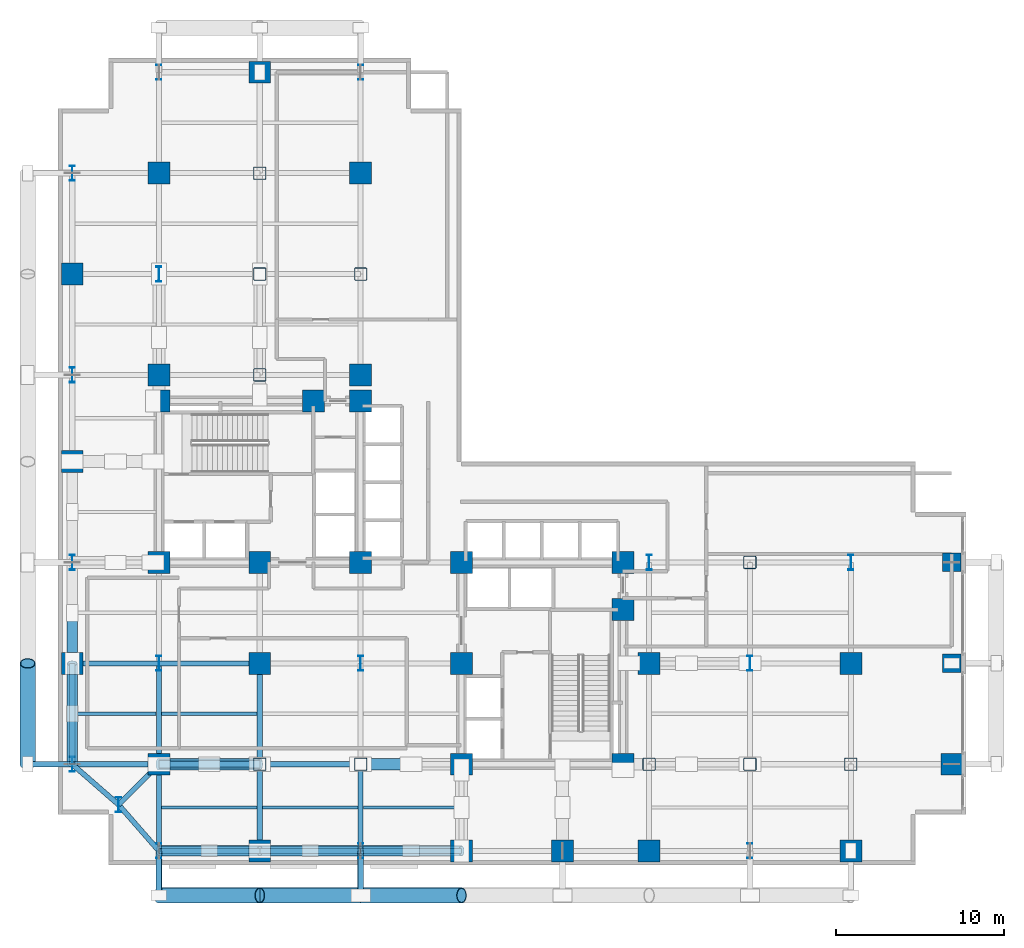
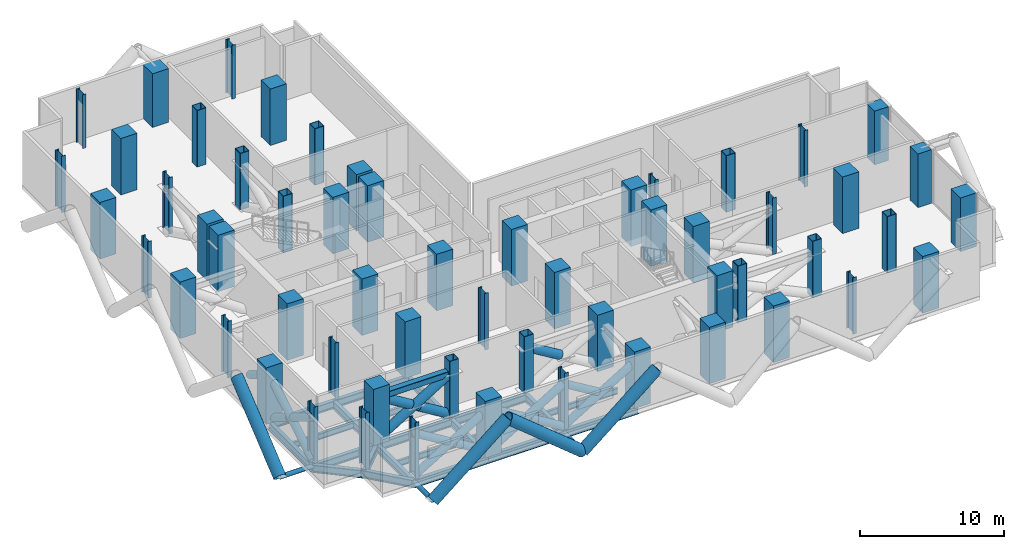
# One storey, part 1 of 10: 58 columns, 24 members, 22 beams.
"""IFC4 building model written with IfcOpenShell, lengths in metres."""

from ifc_helpers import new_model, si_unit, direction, frame, origin, origin_2d, place, context, subcontext, project, spatial, rectangle, hollow_rectangle, hollow_circle, i_section, extrude, material, material_profile, profile_set, type_object, element, save


model = new_model("IFC4")

# Units and contexts
model_context = context("Model", 3, precision=1e-05, world=origin(), true_north=direction((0.0, 1.0)))
body_context = subcontext(model_context, "Body", "Model", "MODEL_VIEW")
ifc_project = project(units=[si_unit("LENGTHUNIT", "METRE"), si_unit("AREAUNIT", "SQUARE_METRE"), si_unit("VOLUMEUNIT", "CUBIC_METRE"), si_unit("PLANEANGLEUNIT", "RADIAN"), si_unit("MASSUNIT", "GRAM", prefix="KILO"), si_unit("THERMODYNAMICTEMPERATUREUNIT", "KELVIN"), si_unit("POWERUNIT", "WATT")], contexts=[model_context])

# Site, building, storey
site_placement = place(None, origin())
site = spatial("IfcSite", under=ifc_project, at=site_placement, CompositionType="ELEMENT")
building_placement = place(site_placement, origin())
building = spatial("IfcBuilding", under=site, at=building_placement, Name="Svarakhadi Broadcast Tower", CompositionType="ELEMENT")
storey_placement = place(building_placement, frame((0.0, 0.0, 94.800048828125)))
storey = spatial("IfcBuildingStorey", under=building, at=storey_placement, Name="L22", CompositionType="ELEMENT", Elevation=94.800048828125)

# Columns
ifc_material_1 = material(Name="Steel S460ML (IS 2062 E450BR)", Category="steel")
ifc_material_profile_1 = material_profile(ifc_material_1, hollow_rectangle(XDim=0.75, YDim=0.75, WallThickness=0.034912109375, InnerFilletRadius=0.034912109375, OuterFilletRadius=0.050048828125, at=origin_2d()), Name="BOX 750x750x35")
ifc_profile_set_1 = profile_set([ifc_material_profile_1], Name="Steel S460ML (IS 2062 E450BR)")
column_type_1 = type_object("IfcColumnType", Name="Col_BOX750", PredefinedType="COLUMN", material=ifc_profile_set_1)
for number, where, z_axis, x_axis, name in (
    (1, (12.0, 6.0, 0.0), (0.0, 0.0, 1.0), (1.0, 0.0, 0.0), "L22 Column G19"),
    (2, (12.0, 29.14990234375, 0.0), (0.0, 0.0, 1.0), (1.0, 0.0, 0.0), "L22 Column G21"),
    (3, (12.0, 35.14990234375, 0.0), (0.0, 0.0, 1.0), (1.0, 0.0, 0.0), "L22 Column G22"),
    (4, (12.0, 41.14990234375, 0.0), (0.0, 0.0, 1.0), (1.0, 0.0, 0.0), "L22 Column G23"),
    (5, (18.0, 6.0, 0.0), (0.0, 0.0, 1.0), (1.0, 0.0, 0.0), "L22 Column G26"),
    (6, (18.0, 35.14990234375, 0.0), (0.0, 0.0, 1.0), (1.0, 0.0, 0.0), "L22 Column G29"),
    (7, (35.14990234375, 6.0, 0.0), (0.0, 0.0, 1.0), (1.0, 0.0, 0.0), "L22 Column G39"),
    (8, (41.14990234375, 6.0, 0.0), (0.0, 0.0, 1.0), (1.0, 0.0, 0.0), "L22 Column G44"),
    (9, (41.14990234375, 18.0, 0.0), (0.0, 0.0, 1.0), (1.0, 0.0, 0.0), "L22 Column G46"),
    (10, (47.14990234375, 6.0, 0.0), (0.0, 0.0, 1.0), (1.0, 0.0, 0.0), "L22 Column G51"),
):
    element("IfcColumn", number, at=place(storey_placement, frame(where, z_axis=z_axis, x_axis=x_axis)), inside=storey, type_object=column_type_1, Name=name, PredefinedType="COLUMN", context=body_context, shape_type="SweptSolid", body=[
        extrude(hollow_rectangle(XDim=0.75, YDim=0.75, WallThickness=0.034912109375, InnerFilletRadius=0.034912109375, OuterFilletRadius=0.050048828125, at=origin_2d()), origin(), (0.0, 0.0, 1.0), 4.800048828125),
    ])
ifc_material_2 = material(Name="Concrete C50/60 (IS 456 M60)", Category="concrete")
ifc_material_profile_2 = material_profile(ifc_material_2, rectangle(XDim=1.10009765625, YDim=1.10009765625, at=origin_2d()), Name="RC 1100x1100")
ifc_profile_set_2 = profile_set([ifc_material_profile_2], Name="Concrete C50/60 (IS 456 M60)")
column_type_2 = type_object("IfcColumnType", Name="Col_RC1100", PredefinedType="COLUMN", material=ifc_profile_set_2)
for number, where, z_axis, x_axis, name in (
    (11, (53.14990234375, 12.0, 0.0), (0.0, 0.0, 1.0), (1.0, 0.0, 0.0), "L22 Zone-1 East Stack Column ZT02"),
    (12, (53.14990234375, 18.0, 0.0), (0.0, 0.0, 1.0), (1.0, 0.0, 0.0), "L22 Zone-1 East Stack Column ZT03"),
):
    element("IfcColumn", number, at=place(storey_placement, frame(where, z_axis=z_axis, x_axis=x_axis)), inside=storey, type_object=column_type_2, Name=name, PredefinedType="COLUMN", context=body_context, shape_type="SweptSolid", body=[
        extrude(rectangle(XDim=1.10009765625, YDim=1.10009765625, at=origin_2d()), origin(), (0.0, 0.0, 1.0), 4.56005859375),
    ])
ifc_material_3 = material(Name="Concrete C60/75 (IS 456 M70)", Category="concrete")
ifc_material_profile_3 = material_profile(ifc_material_3, rectangle(XDim=1.300048828125, YDim=1.300048828125, at=origin_2d()), Name="RC 1300x1300")
ifc_profile_set_3 = profile_set([ifc_material_profile_3], Name="Concrete C60/75 (IS 456 M70)")
column_type_3 = type_object("IfcColumnType", Name="Col_RC1300", PredefinedType="COLUMN", material=ifc_profile_set_3)
for number, where, z_axis, x_axis, name in (
    (13, (6.0, 18.0, 0.0), (0.0, 0.0, 1.0), (1.0, 0.0, 0.0), "L22 Column CW1"),
    (14, (12.0, 18.0, 0.0), (0.0, 0.0, 1.0), (1.0, 0.0, 0.0), "L22 Column CW2"),
    (15, (18.0, 18.0, 0.0), (0.0, 0.0, 1.0), (1.0, 0.0, 0.0), "L22 Column CW3"),
    (16, (6.0, 27.60009765625, 0.0), (0.0, 0.0, 1.0), (1.0, 0.0, 0.0), "L22 Column CW4"),
    (17, (15.199951171875, 27.60009765625, 0.0), (0.0, 0.0, 1.0), (1.0, 0.0, 0.0), "L22 Column CW5"),
    (18, (18.0, 27.60009765625, 0.0), (0.0, 0.0, 1.0), (1.0, 0.0, 0.0), "L22 Column CW6"),
    (19, (24.0, 6.0, 0.0), (0.0, 0.0, 1.0), (1.0, 0.0, 0.0), "L22 Column CE1"),
    (20, (24.0, 12.0, 0.0), (0.0, 0.0, 1.0), (1.0, 0.0, 0.0), "L22 Column CE2"),
    (21, (24.0, 18.0, 0.0), (0.0, 0.0, 1.0), (1.0, 0.0, 0.0), "L22 Column CE3"),
    (22, (33.60009765625, 6.0, 0.0), (0.0, 0.0, 1.0), (1.0, 0.0, 0.0), "L22 Column CE4"),
    (23, (33.60009765625, 15.199951171875, 0.0), (0.0, 0.0, 1.0), (1.0, 0.0, 0.0), "L22 Column CE5"),
    (24, (33.60009765625, 18.0, 0.0), (0.0, 0.0, 1.0), (1.0, 0.0, 0.0), "L22 Column CE6"),
    (25, (0.85009765625, 12.0, 0.0), (0.0, 0.0, 1.0), (1.0, 0.0, 0.0), "L22 Column G04"),
    (26, (0.85009765625, 24.0, 0.0), (0.0, 0.0, 1.0), (1.0, 0.0, 0.0), "L22 Column G06"),
    (27, (0.85009765625, 35.14990234375, 0.0), (0.0, 0.0, 1.0), (1.0, 0.0, 0.0), "L22 Column G08"),
    (28, (6.0, 6.0, 0.0), (0.0, 0.0, 1.0), (1.0, 0.0, 0.0), "L22 Column G12"),
    (29, (6.0, 29.14990234375, 0.0), (0.0, 0.0, 1.0), (1.0, 0.0, 0.0), "L22 Column G14"),
    (30, (6.0, 41.14990234375, 0.0), (0.0, 0.0, 1.0), (1.0, 0.0, 0.0), "L22 Column G16"),
    (31, (12.0, 0.85009765625, 0.0), (0.0, 0.0, 1.0), (1.0, 0.0, 0.0), "L22 Column G18"),
    (32, (12.0, 12.0, 0.0), (0.0, 0.0, 1.0), (1.0, 0.0, 0.0), "L22 Column G20"),
):
    element("IfcColumn", number, at=place(storey_placement, frame(where, z_axis=z_axis, x_axis=x_axis)), inside=storey, type_object=column_type_3, Name=name, PredefinedType="COLUMN", context=body_context, shape_type="SweptSolid", body=[
        extrude(rectangle(XDim=1.300048828125, YDim=1.300048828125, at=origin_2d()), origin(), (0.0, 0.0, 1.0), 4.800048828125),
    ])
column_1_placement = place(storey_placement, frame((12.0, 47.14990234375, 0.0), z_axis=(0.0, 0.0, 1.0), x_axis=(1.0, 0.0, 0.0)))
element("IfcColumn", 33, at=column_1_placement, inside=storey, type_object=column_type_3, Name="L22 Column G24", PredefinedType="COLUMN", context=body_context, shape_type="SweptSolid", body=[
    extrude(rectangle(XDim=1.300048828125, YDim=1.300048828125, at=origin_2d()), origin(), (0.0, 0.0, 1.0), 4.56005859375),
])
for number, where, z_axis, x_axis, name in (
    (34, (18.0, 29.14990234375, 0.0), (0.0, 0.0, 1.0), (1.0, 0.0, 0.0), "L22 Column G28"),
    (35, (18.0, 41.14990234375, 0.0), (0.0, 0.0, 1.0), (1.0, 0.0, 0.0), "L22 Column G30"),
    (36, (24.0, 0.85009765625, 0.0), (0.0, 0.0, 1.0), (1.0, 0.0, 0.0), "L22 Column G32"),
    (37, (30.0, 0.85009765625, 0.0), (0.0, 0.0, 1.0), (1.0, 0.0, 0.0), "L22 Column G36"),
    (38, (35.14990234375, 0.85009765625, 0.0), (0.0, 0.0, 1.0), (1.0, 0.0, 0.0), "L22 Column G38"),
    (39, (35.14990234375, 12.0, 0.0), (0.0, 0.0, 1.0), (1.0, 0.0, 0.0), "L22 Column G40"),
    (40, (47.14990234375, 0.85009765625, 0.0), (0.0, 0.0, 1.0), (1.0, 0.0, 0.0), "L22 Column G50"),
    (41, (47.14990234375, 12.0, 0.0), (0.0, 0.0, 1.0), (1.0, 0.0, 0.0), "L22 Column G52"),
):
    element("IfcColumn", number, at=place(storey_placement, frame(where, z_axis=z_axis, x_axis=x_axis)), inside=storey, type_object=column_type_3, Name=name, PredefinedType="COLUMN", context=body_context, shape_type="SweptSolid", body=[
        extrude(rectangle(XDim=1.300048828125, YDim=1.300048828125, at=origin_2d()), origin(), (0.0, 0.0, 1.0), 4.800048828125),
    ])
column_2_placement = place(storey_placement, frame((53.14990234375, 6.0, 0.0), z_axis=(0.0, 0.0, 1.0), x_axis=(1.0, 0.0, 0.0)))
element("IfcColumn", 42, at=column_2_placement, inside=storey, type_object=column_type_3, Name="L22 Column G58", PredefinedType="COLUMN", context=body_context, shape_type="SweptSolid", body=[
    extrude(rectangle(XDim=1.300048828125, YDim=1.300048828125, at=origin_2d()), origin(), (0.0, 0.0, 1.0), 4.56005859375),
])
ifc_material_profile_4 = material_profile(ifc_material_1, i_section(OverallWidth=0.300048828125, OverallDepth=0.89990234375, WebThickness=0.0185546875, FlangeThickness=0.034912109375, FilletRadius=0.030029296875, at=origin_2d()), Name="WPB 900x300x291")
ifc_profile_set_4 = profile_set([ifc_material_profile_4], Name="Steel S460ML (IS 2062 E450BR)")
column_type_4 = type_object("IfcColumnType", Name="Col_WPB900", PredefinedType="COLUMN", material=ifc_profile_set_4)
for number, where, z_axis, x_axis, name in (
    (43, (3.60009765625, 3.60009765625, 0.0), (0.0, 0.0, 1.0), (1.0, 0.0, 0.0), "L22 Column G01"),
    (44, (0.85009765625, 6.0, 0.0), (0.0, 0.0, 1.0), (1.0, 0.0, 0.0), "L22 Column G03"),
    (45, (0.85009765625, 18.0, 0.0), (0.0, 0.0, 1.0), (1.0, 0.0, 0.0), "L22 Column G05"),
    (46, (0.85009765625, 29.14990234375, 0.0), (0.0, 0.0, 1.0), (1.0, 0.0, 0.0), "L22 Column G07"),
    (47, (0.85009765625, 41.14990234375, 0.0), (0.0, 0.0, 1.0), (1.0, 0.0, 0.0), "L22 Column G09"),
    (48, (6.0, 0.85009765625, 0.0), (0.0, 0.0, 1.0), (1.0, 0.0, 0.0), "L22 Column G11"),
    (49, (6.0, 12.0, 0.0), (0.0, 0.0, 1.0), (1.0, 0.0, 0.0), "L22 Column G13"),
    (50, (6.0, 35.14990234375, 0.0), (0.0, 0.0, 1.0), (1.0, 0.0, 0.0), "L22 Column G15"),
):
    element("IfcColumn", number, at=place(storey_placement, frame(where, z_axis=z_axis, x_axis=x_axis)), inside=storey, type_object=column_type_4, Name=name, PredefinedType="COLUMN", context=body_context, shape_type="SweptSolid", body=[
        extrude(i_section(OverallWidth=0.300048828125, OverallDepth=0.89990234375, WebThickness=0.0185546875, FlangeThickness=0.034912109375, FilletRadius=0.030029296875, at=origin_2d()), origin(), (0.0, 0.0, 1.0), 4.800048828125),
    ])
column_3_placement = place(storey_placement, frame((6.0, 47.14990234375, 0.0), z_axis=(0.0, 0.0, 1.0), x_axis=(1.0, 0.0, 0.0)))
element("IfcColumn", 51, at=column_3_placement, inside=storey, type_object=column_type_4, Name="L22 Column G17", PredefinedType="COLUMN", context=body_context, shape_type="SweptSolid", body=[
    extrude(i_section(OverallWidth=0.300048828125, OverallDepth=0.89990234375, WebThickness=0.0185546875, FlangeThickness=0.034912109375, FilletRadius=0.030029296875, at=origin_2d()), origin(), (0.0, 0.0, 1.0), 4.56005859375),
])
for number, where, z_axis, x_axis, name in (
    (52, (18.0, 0.85009765625, 0.0), (0.0, 0.0, 1.0), (1.0, 0.0, 0.0), "L22 Column G25"),
    (53, (18.0, 12.0, 0.0), (0.0, 0.0, 1.0), (1.0, 0.0, 0.0), "L22 Column G27"),
):
    element("IfcColumn", number, at=place(storey_placement, frame(where, z_axis=z_axis, x_axis=x_axis)), inside=storey, type_object=column_type_4, Name=name, PredefinedType="COLUMN", context=body_context, shape_type="SweptSolid", body=[
        extrude(i_section(OverallWidth=0.300048828125, OverallDepth=0.89990234375, WebThickness=0.0185546875, FlangeThickness=0.034912109375, FilletRadius=0.030029296875, at=origin_2d()), origin(), (0.0, 0.0, 1.0), 4.800048828125),
    ])
column_4_placement = place(storey_placement, frame((18.0, 47.14990234375, 0.0), z_axis=(0.0, 0.0, 1.0), x_axis=(1.0, 0.0, 0.0)))
element("IfcColumn", 54, at=column_4_placement, inside=storey, type_object=column_type_4, Name="L22 Column G31", PredefinedType="COLUMN", context=body_context, shape_type="SweptSolid", body=[
    extrude(i_section(OverallWidth=0.300048828125, OverallDepth=0.89990234375, WebThickness=0.0185546875, FlangeThickness=0.034912109375, FilletRadius=0.030029296875, at=origin_2d()), origin(), (0.0, 0.0, 1.0), 4.56005859375),
])
for number, where, z_axis, x_axis, name in (
    (55, (35.14990234375, 18.0, 0.0), (0.0, 0.0, 1.0), (1.0, 0.0, 0.0), "L22 Column G41"),
    (56, (41.14990234375, 0.85009765625, 0.0), (0.0, 0.0, 1.0), (1.0, 0.0, 0.0), "L22 Column G43"),
    (57, (41.14990234375, 12.0, 0.0), (0.0, 0.0, 1.0), (1.0, 0.0, 0.0), "L22 Column G45"),
    (58, (47.14990234375, 18.0, 0.0), (0.0, 0.0, 1.0), (1.0, 0.0, 0.0), "L22 Column G53"),
):
    element("IfcColumn", number, at=place(storey_placement, frame(where, z_axis=z_axis, x_axis=x_axis)), inside=storey, type_object=column_type_4, Name=name, PredefinedType="COLUMN", context=body_context, shape_type="SweptSolid", body=[
        extrude(i_section(OverallWidth=0.300048828125, OverallDepth=0.89990234375, WebThickness=0.0185546875, FlangeThickness=0.034912109375, FilletRadius=0.030029296875, at=origin_2d()), origin(), (0.0, 0.0, 1.0), 4.800048828125),
    ])

# Beams
ifc_material_4 = material(Name="Steel S355J2 (IS 2062 E350C)", Category="steel")
ifc_material_profile_5 = material_profile(ifc_material_4, i_section(OverallWidth=0.199951171875, OverallDepth=0.5, WebThickness=0.01025390625, FlangeThickness=0.01611328125, FilletRadius=0.02099609375, at=origin_2d()), Name="NPB 500x200x91")
ifc_profile_set_5 = profile_set([ifc_material_profile_5], Name="Steel S355J2 (IS 2062 E350C)")
beam_type_1 = type_object("IfcBeamType", Name="Beam_NPB500", PredefinedType="BEAM", material=ifc_profile_set_5)
beam_1_placement = place(storey_placement, frame((1.010009765625, 9.0, -0.574951171875), z_axis=(1.0, 0.0, 0.0), x_axis=(0.0, 1.0, 0.0)))
element("IfcBeam", 59, at=beam_1_placement, inside=storey, type_object=beam_type_1, Name="L22 Secondary Composite Beam SB001", PredefinedType="BEAM", context=body_context, shape_type="SweptSolid", body=[
    extrude(i_section(OverallWidth=0.199951171875, OverallDepth=0.5, WebThickness=0.01025390625, FlangeThickness=0.01611328125, FilletRadius=0.02099609375, at=origin_2d()), origin(), (0.0, 0.0, 1.0), 4.830078125),
])
for number, where, z_axis, x_axis, name in (
    (60, (6.159912109375, 3.425048828125, -0.574951171875), (1.0, 0.0, 0.0), (0.0, 1.0, 0.0), "L22 Secondary Composite Beam SB007"),
    (61, (6.159912109375, 9.0, -0.574951171875), (1.0, 0.0, 0.0), (0.0, 1.0, 0.0), "L22 Secondary Composite Beam SB008"),
    (62, (12.159912109375, 3.425048828125, -0.574951171875), (1.0, 0.0, 0.0), (0.0, 1.0, 0.0), "L22 Secondary Composite Beam SB013"),
    (63, (18.159912109375, 3.425048828125, -0.574951171875), (1.0, 0.0, 0.0), (0.0, 1.0, 0.0), "L22 Secondary Composite Beam SB019"),
):
    element("IfcBeam", number, at=place(storey_placement, frame(where, z_axis=z_axis, x_axis=x_axis)), inside=storey, type_object=beam_type_1, Name=name, PredefinedType="BEAM", context=body_context, shape_type="SweptSolid", body=[
        extrude(i_section(OverallWidth=0.199951171875, OverallDepth=0.5, WebThickness=0.01025390625, FlangeThickness=0.01611328125, FilletRadius=0.02099609375, at=origin_2d()), origin(), (0.0, 0.0, 1.0), 5.68017578125),
    ])

# Members
ifc_material_profile_6 = material_profile(ifc_material_1, hollow_circle(Radius=0.304931640625, WallThickness=0.030029296875, at=origin_2d()), Name="CHS 610x30")
ifc_profile_set_6 = profile_set([ifc_material_profile_6], Name="Steel S460ML (IS 2062 E450BR)")
member_type_1 = type_object("IfcMemberType", Name="Belt_Brace_BT01", PredefinedType="BRACE", material=ifc_profile_set_6)
member_1_placement = place(storey_placement, frame((6.0, 0.85009765625, 0.0), z_axis=(0.855915541946, 0.0, 0.517115639926), x_axis=(0.0, 1.0, 0.0)))
element("IfcMember", 64, at=member_1_placement, inside=storey, type_object=member_type_1, Name="L22 Perimeter Belt Truss Diagonal BT-01A", PredefinedType="BRACE", context=body_context, shape_type="SweptSolid", body=[
    extrude(hollow_circle(Radius=0.304931640625, WallThickness=0.030029296875, at=origin_2d()), origin(), (0.0, 0.0, 1.0), 7.010009765625),
])
for number, where, z_axis, x_axis, name in (
    (65, (12.0, 0.85009765625, 0.0), (-0.855920466322, 0.0, 0.517107489146), (0.0, -1.0, 0.0), "L22 Perimeter Belt Truss Diagonal BT-01B1"),
    (66, (8.739013671875, 0.85009765625, 1.97021484375), (-0.855920466322, 0.0, 0.517107489146), (0.0, -1.0, 0.0), "L22 Perimeter Belt Truss Diagonal BT-01B2"),
):
    element("IfcMember", number, at=place(storey_placement, frame(where, z_axis=z_axis, x_axis=x_axis)), inside=storey, type_object=member_type_1, Name=name, PredefinedType="BRACE", context=body_context, shape_type="SweptSolid", body=[
        extrude(hollow_circle(Radius=0.304931640625, WallThickness=0.030029296875, at=origin_2d()), origin(), (0.0, 0.0, 1.0), 3.2001953125),
    ])
member_2_placement = place(storey_placement, frame((12.0, 0.85009765625, 0.0), z_axis=(0.855915541946, 0.0, 0.517115639926), x_axis=(0.0, 1.0, 0.0)))
element("IfcMember", 67, at=member_2_placement, inside=storey, type_object=member_type_1, Name="L22 Perimeter Belt Truss Diagonal BT-02A", PredefinedType="BRACE", context=body_context, shape_type="SweptSolid", body=[
    extrude(hollow_circle(Radius=0.304931640625, WallThickness=0.030029296875, at=origin_2d()), origin(), (0.0, 0.0, 1.0), 7.010009765625),
])
for number, where, z_axis, x_axis, name in (
    (68, (18.0, 0.85009765625, 0.0), (-0.855920466322, 0.0, 0.517107489146), (0.0, -1.0, 0.0), "L22 Perimeter Belt Truss Diagonal BT-02B1"),
    (69, (14.739013671875, 0.85009765625, 1.97021484375), (-0.855920466322, 0.0, 0.517107489146), (0.0, -1.0, 0.0), "L22 Perimeter Belt Truss Diagonal BT-02B2"),
):
    element("IfcMember", number, at=place(storey_placement, frame(where, z_axis=z_axis, x_axis=x_axis)), inside=storey, type_object=member_type_1, Name=name, PredefinedType="BRACE", context=body_context, shape_type="SweptSolid", body=[
        extrude(hollow_circle(Radius=0.304931640625, WallThickness=0.030029296875, at=origin_2d()), origin(), (0.0, 0.0, 1.0), 3.2001953125),
    ])
member_3_placement = place(storey_placement, frame((18.0, 0.85009765625, 0.0), z_axis=(0.855915541946, 0.0, 0.517115639926), x_axis=(0.0, 1.0, 0.0)))
element("IfcMember", 70, at=member_3_placement, inside=storey, type_object=member_type_1, Name="L22 Perimeter Belt Truss Diagonal BT-03A", PredefinedType="BRACE", context=body_context, shape_type="SweptSolid", body=[
    extrude(hollow_circle(Radius=0.304931640625, WallThickness=0.030029296875, at=origin_2d()), origin(), (0.0, 0.0, 1.0), 7.010009765625),
])
member_4_placement = place(storey_placement, frame((20.739013671875, 0.85009765625, 1.97021484375), z_axis=(-0.855920466322, 0.0, 0.517107489146), x_axis=(0.0, -1.0, 0.0)))
element("IfcMember", 71, at=member_4_placement, inside=storey, type_object=member_type_1, Name="L22 Perimeter Belt Truss Diagonal BT-03B2", PredefinedType="BRACE", context=body_context, shape_type="SweptSolid", body=[
    extrude(hollow_circle(Radius=0.304931640625, WallThickness=0.030029296875, at=origin_2d()), origin(), (0.0, 0.0, 1.0), 3.2001953125),
])
member_5_placement = place(storey_placement, frame((0.85009765625, 6.0, 0.0), z_axis=(0.0, 0.855915541946, 0.517115639926), x_axis=(-1.0, 0.0, 0.0)))
element("IfcMember", 72, at=member_5_placement, inside=storey, type_object=member_type_1, Name="L22 Perimeter Belt Truss Diagonal BT-04A", PredefinedType="BRACE", context=body_context, shape_type="SweptSolid", body=[
    extrude(hollow_circle(Radius=0.304931640625, WallThickness=0.030029296875, at=origin_2d()), origin(), (0.0, 0.0, 1.0), 7.010009765625),
])
for number, where, z_axis, x_axis, name in (
    (73, (0.85009765625, 12.0, 0.0), (0.0, -0.855920466322, 0.517107489146), (1.0, 0.0, 0.0), "L22 Perimeter Belt Truss Diagonal BT-04B1"),
    (74, (0.85009765625, 8.739013671875, 1.97021484375), (0.0, -0.855920466322, 0.517107489146), (1.0, 0.0, 0.0), "L22 Perimeter Belt Truss Diagonal BT-04B2"),
    (75, (0.85009765625, 14.739013671875, 1.97021484375), (0.0, -0.855920466322, 0.517107489146), (1.0, 0.0, 0.0), "L22 Perimeter Belt Truss Diagonal BT-05B2"),
):
    element("IfcMember", number, at=place(storey_placement, frame(where, z_axis=z_axis, x_axis=x_axis)), inside=storey, type_object=member_type_1, Name=name, PredefinedType="BRACE", context=body_context, shape_type="SweptSolid", body=[
        extrude(hollow_circle(Radius=0.304931640625, WallThickness=0.030029296875, at=origin_2d()), origin(), (0.0, 0.0, 1.0), 3.2001953125),
    ])
ifc_material_profile_7 = material_profile(ifc_material_1, hollow_circle(Radius=0.45703125, WallThickness=0.044921875, at=origin_2d()), Name="CHS 914x45")
ifc_profile_set_7 = profile_set([ifc_material_profile_7], Name="Steel S460ML (IS 2062 E450BR)")
member_type_2 = type_object("IfcMemberType", Name="Exo_Brace_CHS914", PredefinedType="BRACE", material=ifc_profile_set_7)
for number, where, z_axis, x_axis, name in (
    (76, (6.0, -1.800048828125, -0.5029296875), (0.773519586462, 0.0, 0.633772395549), (0.0, 1.0, 0.0), "L22 Exposed Bronze Exoskeleton Diagonal S01"),
    (77, (18.0, -1.800048828125, -0.5029296875), (-0.773519586462, 0.0, 0.633772395549), (0.0, -1.0, 0.0), "L22 Exposed Bronze Exoskeleton Diagonal S02"),
    (78, (18.0, -1.800048828125, -0.5029296875), (0.773519586462, 0.0, 0.633772395549), (0.0, 1.0, 0.0), "L22 Exposed Bronze Exoskeleton Diagonal S03"),
    (79, (-1.800048828125, 6.0, -0.5029296875), (0.0, 0.773519586462, 0.633772395549), (-1.0, 0.0, 0.0), "L22 Exposed Bronze Exoskeleton Diagonal W08"),
):
    element("IfcMember", number, at=place(storey_placement, frame(where, z_axis=z_axis, x_axis=x_axis)), inside=storey, type_object=member_type_2, Name=name, PredefinedType="BRACE", context=body_context, shape_type="SweptSolid", body=[
        extrude(hollow_circle(Radius=0.45703125, WallThickness=0.044921875, at=origin_2d()), origin(), (0.0, 0.0, 1.0), 7.7568359375),
    ])
ifc_material_profile_8 = material_profile(ifc_material_1, hollow_circle(Radius=0.177734375, WallThickness=0.02001953125, at=origin_2d()), Name="CHS 355.6x20")
ifc_profile_set_8 = profile_set([ifc_material_profile_8], Name="Steel S460ML (IS 2062 E450BR)")
member_type_3 = type_object("IfcMemberType", Name="Exo_Radial_Strut_Z1", PredefinedType="STRUT", material=ifc_profile_set_8)
for number, where, z_axis, x_axis, name in (
    (80, (6.0, -1.800048828125, -0.5029296875), (0.0, 1.0, 0.0), (-1.0, 0.0, 0.0), "L22 Exoskeleton Radial Tie Strut S01"),
    (81, (18.0, -1.800048828125, -0.5029296875), (0.0, 1.0, 0.0), (-1.0, 0.0, 0.0), "L22 Exoskeleton Radial Tie Strut S02"),
    (82, (-1.800048828125, 6.0, -0.5029296875), (1.0, 0.0, 0.0), (0.0, 1.0, 0.0), "L22 Exoskeleton Radial Tie Strut W05"),
):
    element("IfcMember", number, at=place(storey_placement, frame(where, z_axis=z_axis, x_axis=x_axis)), inside=storey, type_object=member_type_3, Name=name, PredefinedType="STRUT", context=body_context, shape_type="SweptSolid", body=[
        extrude(hollow_circle(Radius=0.177734375, WallThickness=0.02001953125, at=origin_2d()), origin(), (0.0, 0.0, 1.0), 2.650146484375),
    ])

# Beams
ifc_material_profile_9 = material_profile(ifc_material_4, i_section(OverallWidth=0.300048828125, OverallDepth=0.64990234375, WebThickness=0.01611328125, FlangeThickness=0.031005859375, FilletRadius=0.027099609375, at=origin_2d()), Name="WPB 650x300x225")
ifc_profile_set_9 = profile_set([ifc_material_profile_9], Name="Steel S355J2 (IS 2062 E350C)")
beam_type_2 = type_object("IfcBeamType", Name="Girder_WPB650", PredefinedType="USERDEFINED", material=ifc_profile_set_9)
beam_2_placement = place(storey_placement, frame((3.60009765625, 3.60009765625, -0.650146484375), z_axis=(0.707106781187, 0.707106781187, 0.0), x_axis=(-0.707106781187, 0.707106781187, 0.0)))
element("IfcBeam", 83, at=beam_2_placement, inside=storey, type_object=beam_type_2, Name="L22 Corner Tie Girder G001", ObjectType="GIRDER", PredefinedType="USERDEFINED", context=body_context, shape_type="SweptSolid", body=[
    extrude(i_section(OverallWidth=0.300048828125, OverallDepth=0.64990234375, WebThickness=0.01611328125, FlangeThickness=0.031005859375, FilletRadius=0.027099609375, at=origin_2d()), origin(), (0.0, 0.0, 1.0), 3.39404296875),
])
for number, where, z_axis, x_axis, name in (
    (84, (3.60009765625, 3.60009765625, -0.650146484375), (-0.753437912176, 0.657519058655, 0.0), (-0.657519058655, -0.753437912176, 0.0), "L22 Corner Tie Girder G002"),
    (85, (3.60009765625, 3.60009765625, -0.650146484375), (0.657519058655, -0.753437912176, 0.0), (0.753437912176, 0.657519058655, 0.0), "L22 Corner Tie Girder G003"),
):
    element("IfcBeam", number, at=place(storey_placement, frame(where, z_axis=z_axis, x_axis=x_axis)), inside=storey, type_object=beam_type_2, Name=name, ObjectType="GIRDER", PredefinedType="USERDEFINED", context=body_context, shape_type="SweptSolid", body=[
        extrude(i_section(OverallWidth=0.300048828125, OverallDepth=0.64990234375, WebThickness=0.01611328125, FlangeThickness=0.031005859375, FilletRadius=0.027099609375, at=origin_2d()), origin(), (0.0, 0.0, 1.0), 3.64990234375),
    ])
for number, where, z_axis, x_axis, name in (
    (86, (6.0, 0.85009765625, -0.650146484375), (1.0, 0.0, 0.0), (0.0, 1.0, 0.0), "L22 Primary E-W Girder G004"),
    (87, (12.0, 0.85009765625, -0.650146484375), (1.0, 0.0, 0.0), (0.0, 1.0, 0.0), "L22 Primary E-W Girder G005"),
    (88, (18.0, 0.85009765625, -0.650146484375), (1.0, 0.0, 0.0), (0.0, 1.0, 0.0), "L22 Primary E-W Girder G006"),
):
    element("IfcBeam", number, at=place(storey_placement, frame(where, z_axis=z_axis, x_axis=x_axis)), inside=storey, type_object=beam_type_2, Name=name, ObjectType="GIRDER", PredefinedType="USERDEFINED", context=body_context, shape_type="SweptSolid", body=[
        extrude(i_section(OverallWidth=0.300048828125, OverallDepth=0.64990234375, WebThickness=0.01611328125, FlangeThickness=0.031005859375, FilletRadius=0.027099609375, at=origin_2d()), origin(), (0.0, 0.0, 1.0), 6.0),
    ])
beam_3_placement = place(storey_placement, frame((0.85009765625, 6.0, -0.650146484375), z_axis=(1.0, 0.0, 0.0), x_axis=(0.0, 1.0, 0.0)))
element("IfcBeam", 89, at=beam_3_placement, inside=storey, type_object=beam_type_2, Name="L22 Primary E-W Girder G011", ObjectType="GIRDER", PredefinedType="USERDEFINED", context=body_context, shape_type="SweptSolid", body=[
    extrude(i_section(OverallWidth=0.300048828125, OverallDepth=0.64990234375, WebThickness=0.01611328125, FlangeThickness=0.031005859375, FilletRadius=0.027099609375, at=origin_2d()), origin(), (0.0, 0.0, 1.0), 5.14990234375),
])
for number, where, z_axis, x_axis, name in (
    (90, (6.0, 6.0, -0.650146484375), (1.0, 0.0, 0.0), (0.0, 1.0, 0.0), "L22 Primary E-W Girder G012"),
    (91, (12.0, 6.0, -0.650146484375), (1.0, 0.0, 0.0), (0.0, 1.0, 0.0), "L22 Primary E-W Girder G013"),
):
    element("IfcBeam", number, at=place(storey_placement, frame(where, z_axis=z_axis, x_axis=x_axis)), inside=storey, type_object=beam_type_2, Name=name, ObjectType="GIRDER", PredefinedType="USERDEFINED", context=body_context, shape_type="SweptSolid", body=[
        extrude(i_section(OverallWidth=0.300048828125, OverallDepth=0.64990234375, WebThickness=0.01611328125, FlangeThickness=0.031005859375, FilletRadius=0.027099609375, at=origin_2d()), origin(), (0.0, 0.0, 1.0), 6.0),
    ])
beam_4_placement = place(storey_placement, frame((0.85009765625, 12.0, -0.650146484375), z_axis=(1.0, 0.0, 0.0), x_axis=(0.0, 1.0, 0.0)))
element("IfcBeam", 92, at=beam_4_placement, inside=storey, type_object=beam_type_2, Name="L22 Primary E-W Girder G019", ObjectType="GIRDER", PredefinedType="USERDEFINED", context=body_context, shape_type="SweptSolid", body=[
    extrude(i_section(OverallWidth=0.300048828125, OverallDepth=0.64990234375, WebThickness=0.01611328125, FlangeThickness=0.031005859375, FilletRadius=0.027099609375, at=origin_2d()), origin(), (0.0, 0.0, 1.0), 5.14990234375),
])
for number, where, z_axis, x_axis, name in (
    (93, (6.0, 12.0, -0.650146484375), (1.0, 0.0, 0.0), (0.0, 1.0, 0.0), "L22 Primary E-W Girder G020"),
    (94, (0.85009765625, 6.0, -0.650146484375), (0.0, 1.0, 0.0), (-1.0, 0.0, 0.0), "L22 Primary N-S Girder G045"),
):
    element("IfcBeam", number, at=place(storey_placement, frame(where, z_axis=z_axis, x_axis=x_axis)), inside=storey, type_object=beam_type_2, Name=name, ObjectType="GIRDER", PredefinedType="USERDEFINED", context=body_context, shape_type="SweptSolid", body=[
        extrude(i_section(OverallWidth=0.300048828125, OverallDepth=0.64990234375, WebThickness=0.01611328125, FlangeThickness=0.031005859375, FilletRadius=0.027099609375, at=origin_2d()), origin(), (0.0, 0.0, 1.0), 6.0),
    ])
beam_5_placement = place(storey_placement, frame((6.0, 0.85009765625, -0.650146484375), z_axis=(0.0, 1.0, 0.0), x_axis=(-1.0, 0.0, 0.0)))
element("IfcBeam", 95, at=beam_5_placement, inside=storey, type_object=beam_type_2, Name="L22 Primary N-S Girder G051", ObjectType="GIRDER", PredefinedType="USERDEFINED", context=body_context, shape_type="SweptSolid", body=[
    extrude(i_section(OverallWidth=0.300048828125, OverallDepth=0.64990234375, WebThickness=0.01611328125, FlangeThickness=0.031005859375, FilletRadius=0.027099609375, at=origin_2d()), origin(), (0.0, 0.0, 1.0), 5.14990234375),
])
beam_6_placement = place(storey_placement, frame((6.0, 6.0, -0.650146484375), z_axis=(0.0, 1.0, 0.0), x_axis=(-1.0, 0.0, 0.0)))
element("IfcBeam", 96, at=beam_6_placement, inside=storey, type_object=beam_type_2, Name="L22 Primary N-S Girder G052", ObjectType="GIRDER", PredefinedType="USERDEFINED", context=body_context, shape_type="SweptSolid", body=[
    extrude(i_section(OverallWidth=0.300048828125, OverallDepth=0.64990234375, WebThickness=0.01611328125, FlangeThickness=0.031005859375, FilletRadius=0.027099609375, at=origin_2d()), origin(), (0.0, 0.0, 1.0), 6.0),
])
beam_7_placement = place(storey_placement, frame((12.0, 0.85009765625, -0.650146484375), z_axis=(0.0, 1.0, 0.0), x_axis=(-1.0, 0.0, 0.0)))
element("IfcBeam", 97, at=beam_7_placement, inside=storey, type_object=beam_type_2, Name="L22 Primary N-S Girder G058", ObjectType="GIRDER", PredefinedType="USERDEFINED", context=body_context, shape_type="SweptSolid", body=[
    extrude(i_section(OverallWidth=0.300048828125, OverallDepth=0.64990234375, WebThickness=0.01611328125, FlangeThickness=0.031005859375, FilletRadius=0.027099609375, at=origin_2d()), origin(), (0.0, 0.0, 1.0), 5.14990234375),
])
beam_8_placement = place(storey_placement, frame((12.0, 6.0, -0.650146484375), z_axis=(0.0, 1.0, 0.0), x_axis=(-1.0, 0.0, 0.0)))
element("IfcBeam", 98, at=beam_8_placement, inside=storey, type_object=beam_type_2, Name="L22 Primary N-S Girder G059", ObjectType="GIRDER", PredefinedType="USERDEFINED", context=body_context, shape_type="SweptSolid", body=[
    extrude(i_section(OverallWidth=0.300048828125, OverallDepth=0.64990234375, WebThickness=0.01611328125, FlangeThickness=0.031005859375, FilletRadius=0.027099609375, at=origin_2d()), origin(), (0.0, 0.0, 1.0), 6.0),
])
beam_9_placement = place(storey_placement, frame((18.0, 0.85009765625, -0.650146484375), z_axis=(0.0, 1.0, 0.0), x_axis=(-1.0, 0.0, 0.0)))
element("IfcBeam", 99, at=beam_9_placement, inside=storey, type_object=beam_type_2, Name="L22 Primary N-S Girder G064", ObjectType="GIRDER", PredefinedType="USERDEFINED", context=body_context, shape_type="SweptSolid", body=[
    extrude(i_section(OverallWidth=0.300048828125, OverallDepth=0.64990234375, WebThickness=0.01611328125, FlangeThickness=0.031005859375, FilletRadius=0.027099609375, at=origin_2d()), origin(), (0.0, 0.0, 1.0), 5.14990234375),
])

# Members
ifc_material_profile_10 = material_profile(ifc_material_1, hollow_circle(Radius=0.35546875, WallThickness=0.034912109375, at=origin_2d()), Name="CHS 711x35")
ifc_profile_set_10 = profile_set([ifc_material_profile_10], Name="Steel S460ML (IS 2062 E450BR)")
member_type_4 = type_object("IfcMemberType", Name="Outrigger_Brace_OT01", PredefinedType="BRACE", material=ifc_profile_set_10)
member_6_placement = place(storey_placement, frame((20.69580078125, 6.0, 1.996337890625), z_axis=(-0.855922689528, 0.0, 0.517103809259), x_axis=(0.0, -1.0, 0.0)))
element("IfcMember", 100, at=member_6_placement, inside=storey, type_object=member_type_4, Name="L22 Core-to-Perimeter Outrigger Truss Diagonal OT-09B2", PredefinedType="BRACE", context=body_context, shape_type="SweptSolid", body=[
    extrude(hollow_circle(Radius=0.35546875, WallThickness=0.034912109375, at=origin_2d()), origin(), (0.0, 0.0, 1.0), 3.149658203125),
])
member_7_placement = place(storey_placement, frame((6.0, 6.0, 0.0), z_axis=(0.855915541946, 0.0, 0.517115639926), x_axis=(0.0, 1.0, 0.0)))
element("IfcMember", 101, at=member_7_placement, inside=storey, type_object=member_type_4, Name="L22 Core-to-Perimeter Outrigger Truss Diagonal OT-10A", PredefinedType="BRACE", context=body_context, shape_type="SweptSolid", body=[
    extrude(hollow_circle(Radius=0.35546875, WallThickness=0.034912109375, at=origin_2d()), origin(), (0.0, 0.0, 1.0), 7.010009765625),
])
for number, where, z_axis, x_axis, name in (
    (102, (12.0, 6.0, 0.0), (-0.855922689528, 0.0, 0.517103809259), (0.0, -1.0, 0.0), "L22 Core-to-Perimeter Outrigger Truss Diagonal OT-10B1"),
    (103, (8.69580078125, 6.0, 1.996337890625), (-0.855922689528, 0.0, 0.517103809259), (0.0, -1.0, 0.0), "L22 Core-to-Perimeter Outrigger Truss Diagonal OT-10B2"),
):
    element("IfcMember", number, at=place(storey_placement, frame(where, z_axis=z_axis, x_axis=x_axis)), inside=storey, type_object=member_type_4, Name=name, PredefinedType="BRACE", context=body_context, shape_type="SweptSolid", body=[
        extrude(hollow_circle(Radius=0.35546875, WallThickness=0.034912109375, at=origin_2d()), origin(), (0.0, 0.0, 1.0), 3.149658203125),
    ])
ifc_material_profile_11 = material_profile(ifc_material_1, hollow_rectangle(XDim=0.5, YDim=0.5, WallThickness=0.02490234375, InnerFilletRadius=0.02490234375, OuterFilletRadius=0.0400390625, at=origin_2d()), Name="SHS 500x500x25")
ifc_profile_set_11 = profile_set([ifc_material_profile_11], Name="Steel S460ML (IS 2062 E450BR)")
member_type_5 = type_object("IfcMemberType", Name="Outrigger_Truss_Chord", PredefinedType="CHORD", material=ifc_profile_set_11)
member_8_placement = place(storey_placement, frame((6.0, 6.0, 3.625), z_axis=(1.0, 0.0, 0.0), x_axis=(0.0, 1.0, 0.0)))
element("IfcMember", 104, at=member_8_placement, inside=storey, type_object=member_type_5, Name="L22 Outrigger Truss Top Chord OC-10", PredefinedType="CHORD", context=body_context, shape_type="SweptSolid", body=[
    extrude(hollow_rectangle(XDim=0.5, YDim=0.5, WallThickness=0.02490234375, InnerFilletRadius=0.02490234375, OuterFilletRadius=0.0400390625, at=origin_2d()), origin(), (0.0, 0.0, 1.0), 6.0),
])

save(model, "model.ifc")
